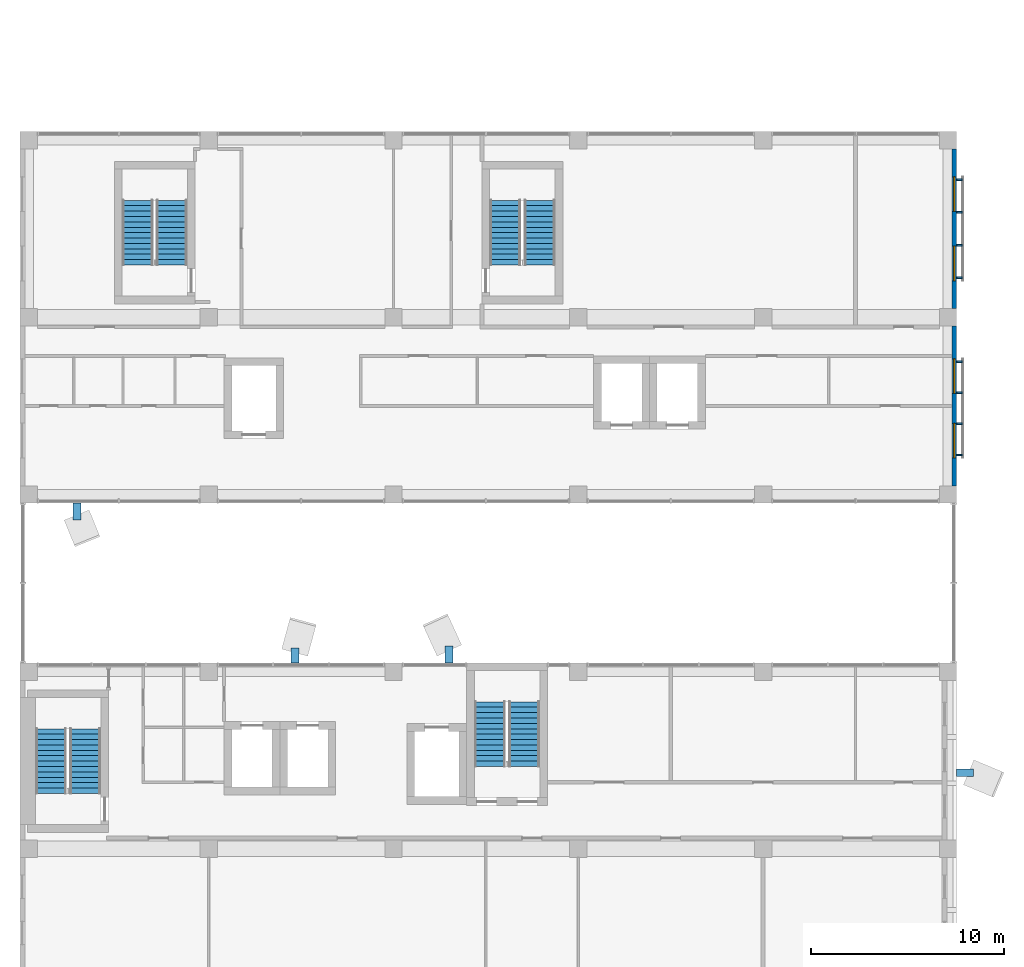
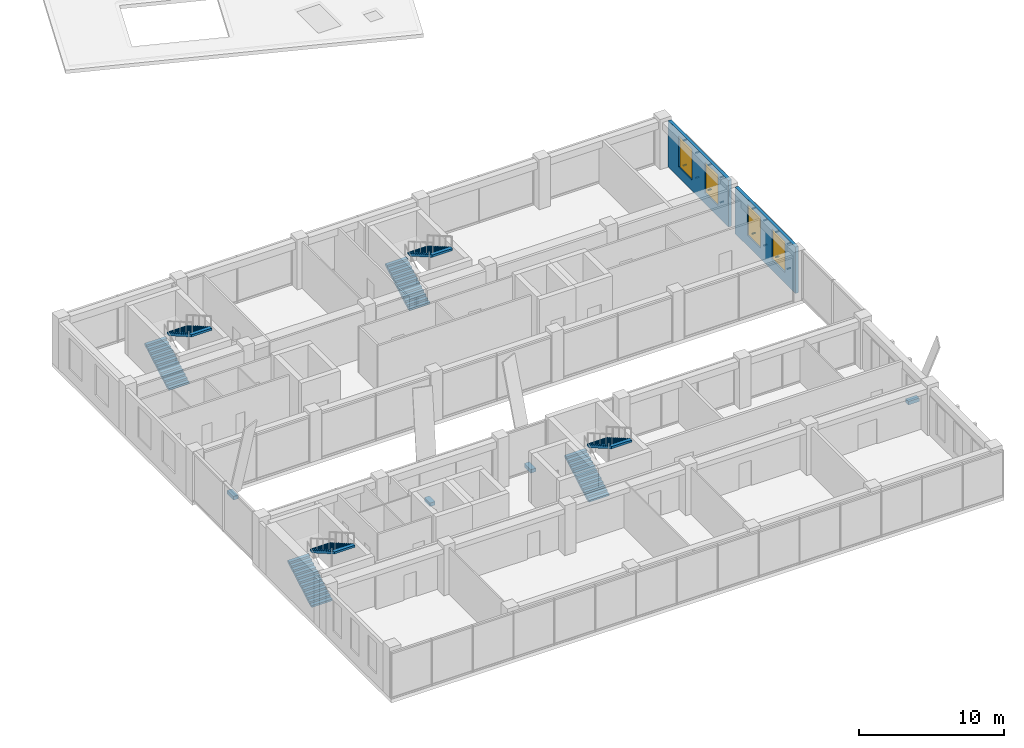
# One storey, part 30 of 36: 20 discrete accessories, 8 stair flights, 4 windows, 2 walls, 4 openings, 4 elements without a shape of their own.
"""IFC4 building model written with IfcOpenShell, lengths in metres."""

from ifc_helpers import new_model, si_unit, direction, frame, frame_2d, origin, origin_2d, place, context, subcontext, project, spatial, polyline, rectangle, outline, extrude, material, layer, layer_set, layer_usage, type_object, element, fill, aggregate, save


model = new_model("IFC4")

# Units and contexts
model_context = context("Model", 3, precision=1e-05, world=origin(), true_north=direction((0.0, 1.0)))
body_context = subcontext(model_context, "Body", "Model", "MODEL_VIEW")
ifc_project = project(units=[si_unit("LENGTHUNIT", "METRE"), si_unit("AREAUNIT", "SQUARE_METRE"), si_unit("VOLUMEUNIT", "CUBIC_METRE"), si_unit("PLANEANGLEUNIT", "RADIAN"), si_unit("MASSUNIT", "GRAM", prefix="KILO")], contexts=[model_context])

# Site, building, storey
site_placement = place(None, origin())
site = spatial("IfcSite", under=ifc_project, at=site_placement, CompositionType="ELEMENT")
building_placement = place(site_placement, origin())
building = spatial("IfcBuilding", under=site, at=building_placement, Name="Nzadi Deep Aquarium and Research Tower", CompositionType="ELEMENT")
storey_placement = place(building_placement, frame((0.0, 0.0, 44.5)))
storey = spatial("IfcBuildingStorey", under=building, at=storey_placement, Name="L08", CompositionType="ELEMENT", Elevation=44.5)

# Wall, openings, windows
ifc_material_1 = material(Name="Concrete C35/45", Category="concrete")
ifc_layer_1 = layer(ifc_material_1, 0.14990234375, Category="cladding")
ifc_material_2 = material(Name="Mineral wool insulation")
ifc_layer_2 = layer(ifc_material_2, 0.070068359375, Category="insulation")
ifc_material_3 = material(Name="Gypsum board lining")
ifc_layer_3 = layer(ifc_material_3, 0.030029296875, Category="lining")
ifc_layer_set_1 = layer_set([ifc_layer_1, ifc_layer_2, ifc_layer_3], Name="Concrete C35/45, Mineral wool insulation, Gypsum board lining")
ifc_layer_usage_1 = layer_usage(ifc_layer_set_1, "AXIS2", "POSITIVE", -0.125)
wall_type_1 = type_object("IfcWallType", Name="End wall board-formed concrete 250", PredefinedType="ELEMENTEDWALL", material=ifc_layer_set_1)
wall_1_placement = place(storey_placement, frame((48.324951171875, 37.25, 0.0), z_axis=(0.0, 0.0, 1.0), x_axis=(0.0, 1.0, 0.0)))
wall_1 = element("IfcWall", 1, at=wall_1_placement, inside=storey, type_object=wall_type_1, material=ifc_layer_usage_1, Name="End wall blade B east L08", PredefinedType="ELEMENTEDWALL", context=body_context, shape_type="SweptSolid", body=[
    extrude(rectangle(XDim=8.300048828125, YDim=0.25, at=frame_2d((4.14990234375, 0.0))), origin(), (0.0, 0.0, 1.0), 3.89990234375),
])
opening_1_placement = place(wall_1_placement, frame((1.449951171875, 0.0, 0.89990234375)))
opening_1 = element("IfcOpeningElement", 2, at=opening_1_placement, cuts=wall_1, Name="Opening WN01", PredefinedType="OPENING", context=body_context, shape_type="SweptSolid", body=[
    extrude(rectangle(XDim=1.800048828125, YDim=2.60009765625, at=frame_2d((0.89990234375, 1.300048828125))), frame((0.0, 0.135009765625, 0.0), z_axis=(0.0, -1.0, 0.0), x_axis=(1.0, 0.0, 0.0)), (0.0, 0.0, 1.0), 0.27001953125),
])
opening_2_placement = place(wall_1_placement, frame((5.050048828125, 0.0, 0.89990234375)))
opening_2 = element("IfcOpeningElement", 3, at=opening_2_placement, cuts=wall_1, Name="Opening WN01", PredefinedType="OPENING", context=body_context, shape_type="SweptSolid", body=[
    extrude(rectangle(XDim=1.800048828125, YDim=2.60009765625, at=frame_2d((0.89990234375, 1.300048828125))), frame((0.0, 0.135009765625, 0.0), z_axis=(0.0, -1.0, 0.0), x_axis=(1.0, 0.0, 0.0)), (0.0, 0.0, 1.0), 0.27001953125),
])
ifc_material_4 = material(Name="Aluminium window, sage tint glazing", Category="aluminium")
window_type = type_object("IfcWindowType", Name="Slot window 1800x2600 sill 900", PartitioningType="SINGLE_PANEL", PredefinedType="WINDOW", material=ifc_material_4)
window_1_placement = place(opening_1_placement, origin())
window_1 = element("IfcWindow", 4, at=window_1_placement, inside=storey, type_object=window_type, Name="Slot window L08 BE", OverallHeight=2.60009765625, OverallWidth=1.800048828125, PartitioningType="SINGLE_PANEL", PredefinedType="WINDOW", context=body_context, shape_type="SweptSolid", body=[
    extrude(rectangle(XDim=1.800048828125, YDim=2.60009765625, at=frame_2d((0.89990234375, 1.300048828125))), frame((0.0, 0.030029296875, 0.0), z_axis=(0.0, -1.0, 0.0), x_axis=(1.0, 0.0, 0.0)), (0.0, 0.0, 1.0), 0.06005859375),
])
fill(opening_1, window_1)
window_2_placement = place(opening_2_placement, origin())
window_2 = element("IfcWindow", 5, at=window_2_placement, inside=storey, type_object=window_type, Name="Slot window L08 BE", OverallHeight=2.60009765625, OverallWidth=1.800048828125, PartitioningType="SINGLE_PANEL", PredefinedType="WINDOW", context=body_context, shape_type="SweptSolid", body=[
    extrude(rectangle(XDim=1.800048828125, YDim=2.60009765625, at=frame_2d((0.89990234375, 1.300048828125))), frame((0.0, 0.030029296875, 0.0), z_axis=(0.0, -1.0, 0.0), x_axis=(1.0, 0.0, 0.0)), (0.0, 0.0, 1.0), 0.06005859375),
])
fill(opening_2, window_2)

ifc_material_5 = material(Name="Graphite aluminium shingle", Category="aluminium")
ifc_layer_4 = layer(ifc_material_5, 0.050048828125, Category="cladding")
ifc_layer_5 = layer(ifc_material_1, 0.10009765625, Category="cladding")
ifc_layer_6 = layer(ifc_material_2, 0.070068359375, Category="insulation")
ifc_layer_7 = layer(ifc_material_3, 0.030029296875, Category="lining")
ifc_layer_set_2 = layer_set([ifc_layer_4, ifc_layer_5, ifc_layer_6, ifc_layer_7], Name="Graphite aluminium shingle, Concrete C35/45, Mineral wool insulation, Gypsum board lining")
ifc_layer_usage_2 = layer_usage(ifc_layer_set_2, "AXIS2", "POSITIVE", -0.125)
wall_type_2 = type_object("IfcWallType", Name="End wall shingle over board-formed concrete 250", PredefinedType="ELEMENTEDWALL", material=ifc_layer_set_2)
wall_2_placement = place(storey_placement, frame((48.324951171875, 28.050048828125, 0.0), z_axis=(0.0, 0.0, 1.0), x_axis=(0.0, 1.0, 0.0)))
wall_2 = element("IfcWall", 6, at=wall_2_placement, inside=storey, type_object=wall_type_2, material=ifc_layer_usage_2, Name="End wall blade B east L08", PredefinedType="ELEMENTEDWALL", context=body_context, shape_type="SweptSolid", body=[
    extrude(rectangle(XDim=8.300048828125, YDim=0.25, at=frame_2d((4.14990234375, 0.0))), origin(), (0.0, 0.0, 1.0), 3.89990234375),
])
opening_3_placement = place(wall_2_placement, frame((1.449951171875, 0.0, 0.89990234375)))
opening_3 = element("IfcOpeningElement", 7, at=opening_3_placement, cuts=wall_2, Name="Opening WN01", PredefinedType="OPENING", context=body_context, shape_type="SweptSolid", body=[
    extrude(rectangle(XDim=1.800048828125, YDim=2.60009765625, at=frame_2d((0.89990234375, 1.300048828125))), frame((0.0, 0.135009765625, 0.0), z_axis=(0.0, -1.0, 0.0), x_axis=(1.0, 0.0, 0.0)), (0.0, 0.0, 1.0), 0.27001953125),
])
opening_4_placement = place(wall_2_placement, frame((4.800048828125, 0.0, 0.89990234375)))
opening_4 = element("IfcOpeningElement", 8, at=opening_4_placement, cuts=wall_2, Name="Opening WN01", PredefinedType="OPENING", context=body_context, shape_type="SweptSolid", body=[
    extrude(rectangle(XDim=1.800048828125, YDim=2.60009765625, at=frame_2d((0.89990234375, 1.300048828125))), frame((0.0, 0.135009765625, 0.0), z_axis=(0.0, -1.0, 0.0), x_axis=(1.0, 0.0, 0.0)), (0.0, 0.0, 1.0), 0.27001953125),
])
window_3_placement = place(opening_3_placement, origin())
window_3 = element("IfcWindow", 9, at=window_3_placement, inside=storey, type_object=window_type, Name="Slot window L08 BE", OverallHeight=2.60009765625, OverallWidth=1.800048828125, PartitioningType="SINGLE_PANEL", PredefinedType="WINDOW", context=body_context, shape_type="SweptSolid", body=[
    extrude(rectangle(XDim=1.800048828125, YDim=2.60009765625, at=frame_2d((0.89990234375, 1.300048828125))), frame((0.0, 0.030029296875, 0.0), z_axis=(0.0, -1.0, 0.0), x_axis=(1.0, 0.0, 0.0)), (0.0, 0.0, 1.0), 0.06005859375),
])
fill(opening_3, window_3)
window_4_placement = place(opening_4_placement, origin())
window_4 = element("IfcWindow", 10, at=window_4_placement, inside=storey, type_object=window_type, Name="Slot window L08 BE", OverallHeight=2.60009765625, OverallWidth=1.800048828125, PartitioningType="SINGLE_PANEL", PredefinedType="WINDOW", context=body_context, shape_type="SweptSolid", body=[
    extrude(rectangle(XDim=1.800048828125, YDim=2.60009765625, at=frame_2d((0.89990234375, 1.300048828125))), frame((0.0, 0.030029296875, 0.0), z_axis=(0.0, -1.0, 0.0), x_axis=(1.0, 0.0, 0.0)), (0.0, 0.0, 1.0), 0.06005859375),
])
fill(opening_4, window_4)

# Stair, stair flights
ifc_material_6 = material(Name="Concrete C35/45", Category="concrete")
stair_type = type_object("IfcStairType", Name="STAIR RETURN 3000", PredefinedType="NOTDEFINED", material=ifc_material_6)
stair_1_placement = place(storey_placement, origin())
stair_1 = element("IfcStair", 11, at=stair_1_placement, inside=storey, type_object=stair_type, Name="Stair ST-Z1-SW L08", PredefinedType="HALF_TURN_STAIR")
ifc_material_7 = material(Name="Concrete C35/45", Category="concrete")
stair_flight_type = type_object("IfcStairFlightType", Name="FLIGHT 1625 13 RISERS 161.5 GOING 280", PredefinedType="STRAIGHT", material=ifc_material_7)
stair_flight_1_placement = place(storey_placement, frame((1.41259765625, 12.070068359375, 0.0), z_axis=(0.0, 0.0, 1.0), x_axis=(0.0, 1.0, 0.0)))
stair_flight_1 = element("IfcStairFlight", 12, at=stair_flight_1_placement, type_object=stair_flight_type, Name="ST-Z1-SW flight 1", NumberOfRisers=13, NumberOfTreads=12, PredefinedType="STRAIGHT", RiserHeight=0.161538462, TreadLength=0.28, context=body_context, shape_type="SweptSolid", body=[
    extrude(outline(polyline([(0.0, 0.0), (0.0, 0.16162109375), (0.280029296875, 0.16162109375), (0.280029296875, 0.322998046875), (0.56005859375, 0.322998046875), (0.56005859375, 0.484619140625), (0.840087890625, 0.484619140625), (0.840087890625, 0.646240234375), (1.1201171875, 0.646240234375), (1.1201171875, 0.8076171875), (1.39990234375, 0.8076171875), (1.39990234375, 0.96923828125), (1.679931640625, 0.96923828125), (1.679931640625, 1.130859375), (1.9599609375, 1.130859375), (1.9599609375, 1.292236328125), (2.239990234375, 1.292236328125), (2.239990234375, 1.453857421875), (2.52001953125, 1.453857421875), (2.52001953125, 1.615478515625), (2.800048828125, 1.615478515625), (2.800048828125, 1.77685546875), (3.080078125, 1.77685546875), (3.080078125, 1.9384765625), (3.360107421875, 1.9384765625), (3.360107421875, 2.10009765625), (3.360107421875, 1.765380859375), (0.300048828125, 0.0), (0.0, 0.0)])), frame((0.0, 0.8125, 0.0), z_axis=(0.0, -1.0, 0.0), x_axis=(1.0, 0.0, 0.0)), (0.0, 0.0, 1.0), 1.625),
])
stair_flight_2_placement = place(storey_placement, frame((3.1875, 15.429931640625, 2.10009765625), z_axis=(0.0, 0.0, 1.0), x_axis=(0.0, -1.0, 0.0)))
stair_flight_2 = element("IfcStairFlight", 13, at=stair_flight_2_placement, type_object=stair_flight_type, Name="ST-Z1-SW flight 2", NumberOfRisers=13, NumberOfTreads=12, PredefinedType="STRAIGHT", RiserHeight=0.161538462, TreadLength=0.28, context=body_context, shape_type="SweptSolid", body=[
    extrude(outline(polyline([(0.0, 0.0), (0.0, 0.16162109375), (0.280029296875, 0.16162109375), (0.280029296875, 0.322998046875), (0.56005859375, 0.322998046875), (0.56005859375, 0.484619140625), (0.840087890625, 0.484619140625), (0.840087890625, 0.646240234375), (1.1201171875, 0.646240234375), (1.1201171875, 0.8076171875), (1.39990234375, 0.8076171875), (1.39990234375, 0.96923828125), (1.679931640625, 0.96923828125), (1.679931640625, 1.130859375), (1.9599609375, 1.130859375), (1.9599609375, 1.292236328125), (2.239990234375, 1.292236328125), (2.239990234375, 1.453857421875), (2.52001953125, 1.453857421875), (2.52001953125, 1.615478515625), (2.800048828125, 1.615478515625), (2.800048828125, 1.77685546875), (3.080078125, 1.77685546875), (3.080078125, 1.9384765625), (3.360107421875, 1.9384765625), (3.360107421875, 2.10009765625), (3.360107421875, 1.765380859375), (0.300048828125, 0.0), (0.0, 0.0)])), frame((0.0, 0.8125, 0.0), z_axis=(0.0, -1.0, 0.0), x_axis=(1.0, 0.0, 0.0)), (0.0, 0.0, 1.0), 1.625),
])
aggregate(stair_1, [stair_flight_1, stair_flight_2])

stair_2_placement = place(storey_placement, origin())
stair_2 = element("IfcStair", 14, at=stair_2_placement, inside=storey, type_object=stair_type, Name="Stair ST-Z1-SE L08", PredefinedType="HALF_TURN_STAIR")
stair_flight_3_placement = place(storey_placement, frame((24.21240234375, 13.469970703125, 0.0), z_axis=(0.0, 0.0, 1.0), x_axis=(0.0, 1.0, 0.0)))
stair_flight_3 = element("IfcStairFlight", 15, at=stair_flight_3_placement, type_object=stair_flight_type, Name="ST-Z1-SE flight 1", NumberOfRisers=13, NumberOfTreads=12, PredefinedType="STRAIGHT", RiserHeight=0.161538462, TreadLength=0.28, context=body_context, shape_type="SweptSolid", body=[
    extrude(outline(polyline([(0.0, 0.0), (0.0, 0.16162109375), (0.280029296875, 0.16162109375), (0.280029296875, 0.322998046875), (0.56005859375, 0.322998046875), (0.56005859375, 0.484619140625), (0.840087890625, 0.484619140625), (0.840087890625, 0.646240234375), (1.1201171875, 0.646240234375), (1.1201171875, 0.8076171875), (1.39990234375, 0.8076171875), (1.39990234375, 0.96923828125), (1.679931640625, 0.96923828125), (1.679931640625, 1.130859375), (1.9599609375, 1.130859375), (1.9599609375, 1.292236328125), (2.239990234375, 1.292236328125), (2.239990234375, 1.453857421875), (2.52001953125, 1.453857421875), (2.52001953125, 1.615478515625), (2.800048828125, 1.615478515625), (2.800048828125, 1.77685546875), (3.080078125, 1.77685546875), (3.080078125, 1.9384765625), (3.360107421875, 1.9384765625), (3.360107421875, 2.10009765625), (3.360107421875, 1.765380859375), (0.300048828125, 0.0), (0.0, 0.0)])), frame((0.0, 0.8125, 0.0), z_axis=(0.0, -1.0, 0.0), x_axis=(1.0, 0.0, 0.0)), (0.0, 0.0, 1.0), 1.625),
])
stair_flight_4_placement = place(storey_placement, frame((25.987548828125, 16.830078125, 2.10009765625), z_axis=(0.0, 0.0, 1.0), x_axis=(0.0, -1.0, 0.0)))
stair_flight_4 = element("IfcStairFlight", 16, at=stair_flight_4_placement, type_object=stair_flight_type, Name="ST-Z1-SE flight 2", NumberOfRisers=13, NumberOfTreads=12, PredefinedType="STRAIGHT", RiserHeight=0.161538462, TreadLength=0.28, context=body_context, shape_type="SweptSolid", body=[
    extrude(outline(polyline([(0.0, 0.0), (0.0, 0.16162109375), (0.280029296875, 0.16162109375), (0.280029296875, 0.322998046875), (0.56005859375, 0.322998046875), (0.56005859375, 0.484619140625), (0.840087890625, 0.484619140625), (0.840087890625, 0.646240234375), (1.1201171875, 0.646240234375), (1.1201171875, 0.8076171875), (1.39990234375, 0.8076171875), (1.39990234375, 0.96923828125), (1.679931640625, 0.96923828125), (1.679931640625, 1.130859375), (1.9599609375, 1.130859375), (1.9599609375, 1.292236328125), (2.239990234375, 1.292236328125), (2.239990234375, 1.453857421875), (2.52001953125, 1.453857421875), (2.52001953125, 1.615478515625), (2.800048828125, 1.615478515625), (2.800048828125, 1.77685546875), (3.080078125, 1.77685546875), (3.080078125, 1.9384765625), (3.360107421875, 1.9384765625), (3.360107421875, 2.10009765625), (3.360107421875, 1.765380859375), (0.300048828125, 0.0), (0.0, 0.0)])), frame((0.0, 0.8125, 0.0), z_axis=(0.0, -1.0, 0.0), x_axis=(1.0, 0.0, 0.0)), (0.0, 0.0, 1.0), 1.625),
])
aggregate(stair_2, [stair_flight_3, stair_flight_4])

stair_3_placement = place(storey_placement, origin())
stair_3 = element("IfcStair", 17, at=stair_3_placement, inside=storey, type_object=stair_type, Name="Stair ST-Z1-NW L08", PredefinedType="HALF_TURN_STAIR")
stair_flight_5_placement = place(storey_placement, frame((5.91259765625, 39.52001953125, 0.0), z_axis=(0.0, 0.0, 1.0), x_axis=(0.0, 1.0, 0.0)))
stair_flight_5 = element("IfcStairFlight", 18, at=stair_flight_5_placement, type_object=stair_flight_type, Name="ST-Z1-NW flight 1", NumberOfRisers=13, NumberOfTreads=12, PredefinedType="STRAIGHT", RiserHeight=0.161538462, TreadLength=0.28, context=body_context, shape_type="SweptSolid", body=[
    extrude(outline(polyline([(0.0, 0.0), (0.0, 0.16162109375), (0.280029296875, 0.16162109375), (0.280029296875, 0.322998046875), (0.56005859375, 0.322998046875), (0.56005859375, 0.484619140625), (0.840087890625, 0.484619140625), (0.840087890625, 0.646240234375), (1.1201171875, 0.646240234375), (1.1201171875, 0.8076171875), (1.39990234375, 0.8076171875), (1.39990234375, 0.96923828125), (1.679931640625, 0.96923828125), (1.679931640625, 1.130859375), (1.9599609375, 1.130859375), (1.9599609375, 1.292236328125), (2.239990234375, 1.292236328125), (2.239990234375, 1.453857421875), (2.52001953125, 1.453857421875), (2.52001953125, 1.615478515625), (2.800048828125, 1.615478515625), (2.800048828125, 1.77685546875), (3.080078125, 1.77685546875), (3.080078125, 1.9384765625), (3.360107421875, 1.9384765625), (3.360107421875, 2.10009765625), (3.360107421875, 1.765380859375), (0.300048828125, 0.0), (0.0, 0.0)])), frame((0.0, 0.8125, 0.0), z_axis=(0.0, -1.0, 0.0), x_axis=(1.0, 0.0, 0.0)), (0.0, 0.0, 1.0), 1.625),
])
stair_flight_6_placement = place(storey_placement, frame((7.6875, 42.8798828125, 2.10009765625), z_axis=(0.0, 0.0, 1.0), x_axis=(0.0, -1.0, 0.0)))
stair_flight_6 = element("IfcStairFlight", 19, at=stair_flight_6_placement, type_object=stair_flight_type, Name="ST-Z1-NW flight 2", NumberOfRisers=13, NumberOfTreads=12, PredefinedType="STRAIGHT", RiserHeight=0.161538462, TreadLength=0.28, context=body_context, shape_type="SweptSolid", body=[
    extrude(outline(polyline([(0.0, 0.0), (0.0, 0.16162109375), (0.280029296875, 0.16162109375), (0.280029296875, 0.322998046875), (0.56005859375, 0.322998046875), (0.56005859375, 0.484619140625), (0.840087890625, 0.484619140625), (0.840087890625, 0.646240234375), (1.1201171875, 0.646240234375), (1.1201171875, 0.8076171875), (1.39990234375, 0.8076171875), (1.39990234375, 0.96923828125), (1.679931640625, 0.96923828125), (1.679931640625, 1.130859375), (1.9599609375, 1.130859375), (1.9599609375, 1.292236328125), (2.239990234375, 1.292236328125), (2.239990234375, 1.453857421875), (2.52001953125, 1.453857421875), (2.52001953125, 1.615478515625), (2.800048828125, 1.615478515625), (2.800048828125, 1.77685546875), (3.080078125, 1.77685546875), (3.080078125, 1.9384765625), (3.360107421875, 1.9384765625), (3.360107421875, 2.10009765625), (3.360107421875, 1.765380859375), (0.300048828125, 0.0), (0.0, 0.0)])), frame((0.0, 0.8125, 0.0), z_axis=(0.0, -1.0, 0.0), x_axis=(1.0, 0.0, 0.0)), (0.0, 0.0, 1.0), 1.625),
])
aggregate(stair_3, [stair_flight_5, stair_flight_6])

stair_4_placement = place(storey_placement, origin())
stair_4 = element("IfcStair", 20, at=stair_4_placement, inside=storey, type_object=stair_type, Name="Stair ST-Z1-NE L08", PredefinedType="HALF_TURN_STAIR")
stair_flight_7_placement = place(storey_placement, frame((25.012451171875, 39.52001953125, 0.0), z_axis=(0.0, 0.0, 1.0), x_axis=(0.0, 1.0, 0.0)))
stair_flight_7 = element("IfcStairFlight", 21, at=stair_flight_7_placement, type_object=stair_flight_type, Name="ST-Z1-NE flight 1", NumberOfRisers=13, NumberOfTreads=12, PredefinedType="STRAIGHT", RiserHeight=0.161538462, TreadLength=0.28, context=body_context, shape_type="SweptSolid", body=[
    extrude(outline(polyline([(0.0, 0.0), (0.0, 0.16162109375), (0.280029296875, 0.16162109375), (0.280029296875, 0.322998046875), (0.56005859375, 0.322998046875), (0.56005859375, 0.484619140625), (0.840087890625, 0.484619140625), (0.840087890625, 0.646240234375), (1.1201171875, 0.646240234375), (1.1201171875, 0.8076171875), (1.39990234375, 0.8076171875), (1.39990234375, 0.96923828125), (1.679931640625, 0.96923828125), (1.679931640625, 1.130859375), (1.9599609375, 1.130859375), (1.9599609375, 1.292236328125), (2.239990234375, 1.292236328125), (2.239990234375, 1.453857421875), (2.52001953125, 1.453857421875), (2.52001953125, 1.615478515625), (2.800048828125, 1.615478515625), (2.800048828125, 1.77685546875), (3.080078125, 1.77685546875), (3.080078125, 1.9384765625), (3.360107421875, 1.9384765625), (3.360107421875, 2.10009765625), (3.360107421875, 1.765380859375), (0.300048828125, 0.0), (0.0, 0.0)])), frame((0.0, 0.8125, 0.0), z_axis=(0.0, -1.0, 0.0), x_axis=(1.0, 0.0, 0.0)), (0.0, 0.0, 1.0), 1.625),
])
stair_flight_8_placement = place(storey_placement, frame((26.78759765625, 42.8798828125, 2.10009765625), z_axis=(0.0, 0.0, 1.0), x_axis=(0.0, -1.0, 0.0)))
stair_flight_8 = element("IfcStairFlight", 22, at=stair_flight_8_placement, type_object=stair_flight_type, Name="ST-Z1-NE flight 2", NumberOfRisers=13, NumberOfTreads=12, PredefinedType="STRAIGHT", RiserHeight=0.161538462, TreadLength=0.28, context=body_context, shape_type="SweptSolid", body=[
    extrude(outline(polyline([(0.0, 0.0), (0.0, 0.16162109375), (0.280029296875, 0.16162109375), (0.280029296875, 0.322998046875), (0.56005859375, 0.322998046875), (0.56005859375, 0.484619140625), (0.840087890625, 0.484619140625), (0.840087890625, 0.646240234375), (1.1201171875, 0.646240234375), (1.1201171875, 0.8076171875), (1.39990234375, 0.8076171875), (1.39990234375, 0.96923828125), (1.679931640625, 0.96923828125), (1.679931640625, 1.130859375), (1.9599609375, 1.130859375), (1.9599609375, 1.292236328125), (2.239990234375, 1.292236328125), (2.239990234375, 1.453857421875), (2.52001953125, 1.453857421875), (2.52001953125, 1.615478515625), (2.800048828125, 1.615478515625), (2.800048828125, 1.77685546875), (3.080078125, 1.77685546875), (3.080078125, 1.9384765625), (3.360107421875, 1.9384765625), (3.360107421875, 2.10009765625), (3.360107421875, 1.765380859375), (0.300048828125, 0.0), (0.0, 0.0)])), frame((0.0, 0.8125, 0.0), z_axis=(0.0, -1.0, 0.0), x_axis=(1.0, 0.0, 0.0)), (0.0, 0.0, 1.0), 1.625),
])
aggregate(stair_4, [stair_flight_7, stair_flight_8])

# Discrete accessories
for number, where, z_axis, x_axis, name in (
    (23, (48.60009765625, 29.64990234375, 0.949951171875), (0.0, 0.0, 1.0), (1.0, 0.0, 0.0), "Screen bracket L08"),
    (24, (48.60009765625, 29.64990234375, 3.050048828125), (0.0, 0.0, 1.0), (1.0, 0.0, 0.0), "Screen bracket L08"),
    (25, (48.60009765625, 31.2666015625, 0.949951171875), (0.0, 0.0, 1.0), (1.0, 0.0, 0.0), "Screen bracket L08"),
    (26, (48.60009765625, 31.2666015625, 3.050048828125), (0.0, 0.0, 1.0), (1.0, 0.0, 0.0), "Screen bracket L08"),
    (27, (48.60009765625, 32.88330078125, 0.949951171875), (0.0, 0.0, 1.0), (1.0, 0.0, 0.0), "Screen bracket L08"),
    (28, (48.60009765625, 32.88330078125, 3.050048828125), (0.0, 0.0, 1.0), (1.0, 0.0, 0.0), "Screen bracket L08"),
    (29, (48.60009765625, 34.5, 0.949951171875), (0.0, 0.0, 1.0), (1.0, 0.0, 0.0), "Screen bracket L08"),
    (30, (48.60009765625, 34.5, 3.050048828125), (0.0, 0.0, 1.0), (1.0, 0.0, 0.0), "Screen bracket L08"),
    (31, (48.60009765625, 38.85009765625, 0.949951171875), (0.0, 0.0, 1.0), (1.0, 0.0, 0.0), "Screen bracket L08"),
    (32, (48.60009765625, 38.85009765625, 3.050048828125), (0.0, 0.0, 1.0), (1.0, 0.0, 0.0), "Screen bracket L08"),
    (33, (48.60009765625, 40.550048828125, 0.949951171875), (0.0, 0.0, 1.0), (1.0, 0.0, 0.0), "Screen bracket L08"),
    (34, (48.60009765625, 40.550048828125, 3.050048828125), (0.0, 0.0, 1.0), (1.0, 0.0, 0.0), "Screen bracket L08"),
    (35, (48.60009765625, 42.25, 0.949951171875), (0.0, 0.0, 1.0), (1.0, 0.0, 0.0), "Screen bracket L08"),
    (36, (48.60009765625, 42.25, 3.050048828125), (0.0, 0.0, 1.0), (1.0, 0.0, 0.0), "Screen bracket L08"),
    (37, (48.60009765625, 43.949951171875, 0.949951171875), (0.0, 0.0, 1.0), (1.0, 0.0, 0.0), "Screen bracket L08"),
    (38, (48.60009765625, 43.949951171875, 3.050048828125), (0.0, 0.0, 1.0), (1.0, 0.0, 0.0), "Screen bracket L08"),
):
    element("IfcDiscreteAccessory", number, at=place(storey_placement, frame(where, z_axis=z_axis, x_axis=x_axis)), inside=storey, Name=name, PredefinedType="BRACKET", context=body_context, shape_type="SweptSolid", body=[
        extrude(rectangle(XDim=0.300048828125, YDim=0.10009765625, at=origin_2d()), origin(), (0.0, 0.0, 1.0), 0.10009765625),
    ])
discrete_accessory_1_placement = place(storey_placement, frame((48.885009765625, 13.14990234375, -0.2998046875), z_axis=(0.0, 0.0, 1.0), x_axis=(1.0, 0.0, 0.0)))
element("IfcDiscreteAccessory", 39, at=discrete_accessory_1_placement, inside=storey, Name="Fold blade bracket", PredefinedType="BRACKET", context=body_context, shape_type="SweptSolid", body=[
    extrude(rectangle(XDim=0.8701171875, YDim=0.39990234375, at=origin_2d()), origin(), (0.0, 0.0, 1.0), 0.300048828125),
])
discrete_accessory_2_placement = place(storey_placement, frame((14.080078125, 19.24169921875, -0.2998046875), z_axis=(0.0, 0.0, 1.0), x_axis=(1.0, 0.0, 0.0)))
element("IfcDiscreteAccessory", 40, at=discrete_accessory_2_placement, inside=storey, Name="Fold blade bracket", PredefinedType="BRACKET", context=body_context, shape_type="SweptSolid", body=[
    extrude(rectangle(XDim=0.39990234375, YDim=0.783447265625, at=origin_2d()), origin(), (0.0, 0.0, 1.0), 0.300048828125),
])
discrete_accessory_3_placement = place(storey_placement, frame((22.080078125, 19.295654296875, -0.2998046875), z_axis=(0.0, 0.0, 1.0), x_axis=(1.0, 0.0, 0.0)))
element("IfcDiscreteAccessory", 41, at=discrete_accessory_3_placement, inside=storey, Name="Fold blade bracket", PredefinedType="BRACKET", context=body_context, shape_type="SweptSolid", body=[
    extrude(rectangle(XDim=0.39990234375, YDim=0.891357421875, at=origin_2d()), origin(), (0.0, 0.0, 1.0), 0.300048828125),
])
discrete_accessory_4_placement = place(storey_placement, frame((2.760009765625, 26.7177734375, -0.2998046875), z_axis=(0.0, 0.0, 1.0), x_axis=(1.0, 0.0, 0.0)))
element("IfcDiscreteAccessory", 42, at=discrete_accessory_4_placement, inside=storey, Name="Fold blade bracket", PredefinedType="BRACKET", context=body_context, shape_type="SweptSolid", body=[
    extrude(rectangle(XDim=0.39990234375, YDim=0.864501953125, at=origin_2d()), origin(), (0.0, 0.0, 1.0), 0.300048828125),
])

save(model, "model.ifc")
